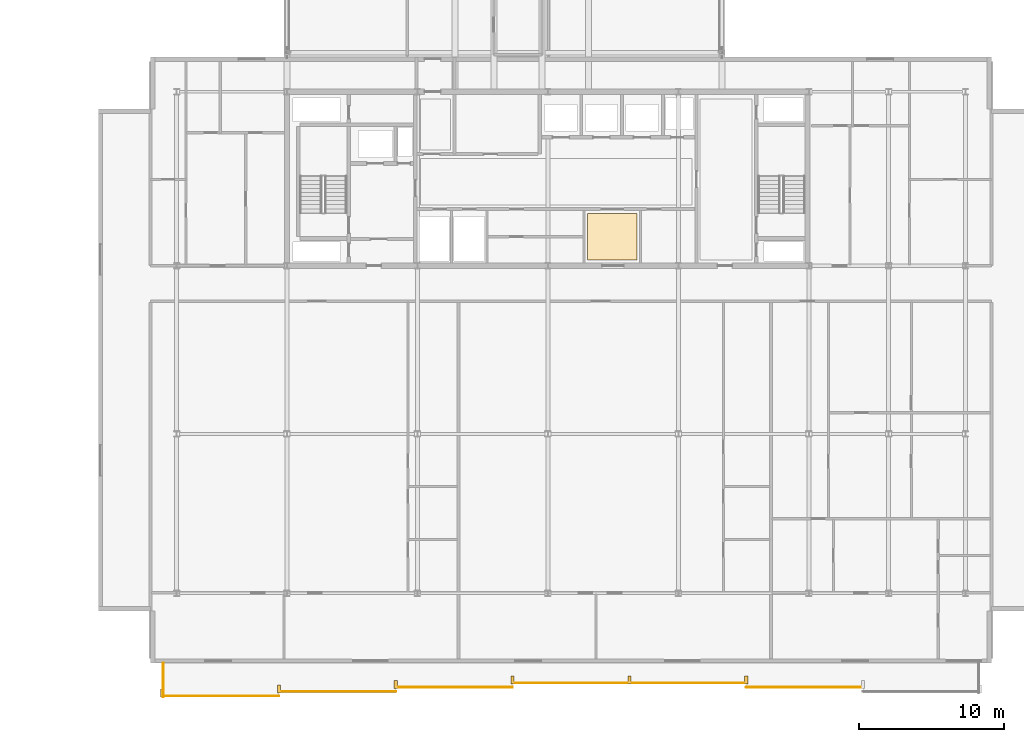
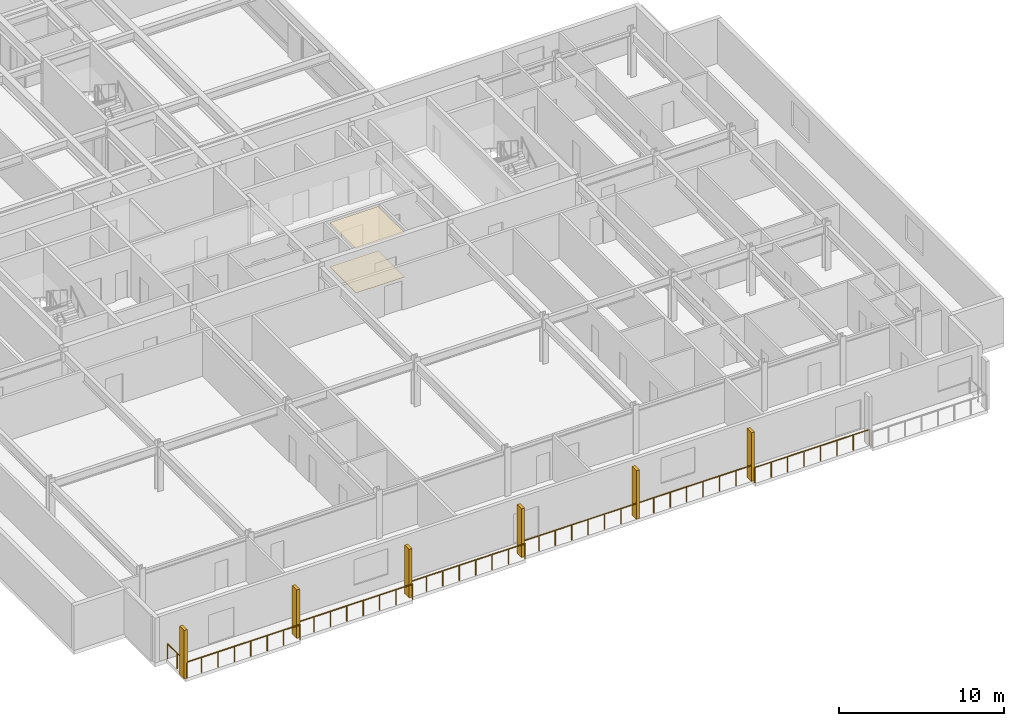
# One storey, part 30 of 35: 6 railings, 6 shading devices, 2 coverings.
"""IFC4 building model written with IfcOpenShell, lengths in metres."""

from ifc_helpers import new_model, si_unit, direction, frame, origin, origin_2d, place, context, subcontext, project, spatial, polyline, rectangle, circle, outline, extrude, material, layer, layer_set, type_object, element, save


model = new_model("IFC4")

# Units and contexts
model_context = context("Model", 3, precision=1e-05, world=origin(), true_north=direction((0.0, 1.0)))
body_context = subcontext(model_context, "Body", "Model", "MODEL_VIEW")
ifc_project = project(units=[si_unit("LENGTHUNIT", "METRE"), si_unit("AREAUNIT", "SQUARE_METRE"), si_unit("VOLUMEUNIT", "CUBIC_METRE"), si_unit("PLANEANGLEUNIT", "RADIAN"), si_unit("MASSUNIT", "GRAM", prefix="KILO")], contexts=[model_context])

# Site, building, storey
site_placement = place(None, origin())
site = spatial("IfcSite", under=ifc_project, at=site_placement, CompositionType="ELEMENT")
building_placement = place(site_placement, origin())
building = spatial("IfcBuilding", under=site, at=building_placement, Name="Korimba Cascade Residences", CompositionType="ELEMENT")
storey_placement = place(building_placement, frame((0.0, 0.0, 150.10009765625)))
storey = spatial("IfcBuildingStorey", under=building, at=storey_placement, Name="L43", CompositionType="ELEMENT", Elevation=150.10009765625)

# Coverings
ifc_material_1 = material(Name="Perforated Acoustic Gypsum Ceiling", Category="gypsum")
ifc_layer_1 = layer(ifc_material_1, 0.02490234375)
ifc_layer_set_1 = layer_set([ifc_layer_1], Name="Perforated Acoustic Gypsum Ceiling")
covering_type_1 = type_object("IfcCoveringType", Name="COV-CLG-AC", PredefinedType="CEILING", material=ifc_layer_set_1)
covering_1_placement = place(storey_placement, frame((0.0, 0.0, 3.284912109375)))
element("IfcCovering", 1, at=covering_1_placement, inside=storey, type_object=covering_type_1, Name="L43 Suspended Acoustic Ceiling L43-LT2", PredefinedType="CEILING", context=body_context, shape_type="SweptSolid", body=[
    extrude(outline(polyline([(102.85009765625, 18.800048828125), (106.25, 18.800048828125), (106.25, 22.0), (102.85009765625, 22.0), (102.85009765625, 18.800048828125)])), origin(), (0.0, 0.0, 1.0), 0.02490234375),
])
ifc_material_2 = material(Name="Honed Travertine Stone Flooring", Category="masonry")
ifc_layer_2 = layer(ifc_material_2, 0.02490234375)
ifc_layer_set_2 = layer_set([ifc_layer_2], Name="Honed Travertine Stone Flooring")
covering_type_2 = type_object("IfcCoveringType", Name="COV-FLR-STN", PredefinedType="FLOORING", material=ifc_layer_set_2)
covering_2_placement = place(storey_placement, origin())
element("IfcCovering", 2, at=covering_2_placement, inside=storey, type_object=covering_type_2, Name="L43 Honed Travertine Stone Flooring L43-LT2", PredefinedType="FLOORING", context=body_context, shape_type="SweptSolid", body=[
    extrude(outline(polyline([(102.85009765625, 18.800048828125), (106.25, 18.800048828125), (106.25, 22.0), (102.85009765625, 22.0), (102.85009765625, 18.800048828125)])), origin(), (0.0, 0.0, 1.0), 0.02490234375),
])

# Railings
ifc_material_3 = material(Name="Laminated Glass and Bronze Balustrade", Category="glass")
railing_type = type_object("IfcRailingType", Name="RLG-LOG-1150", PredefinedType="BALUSTRADE", material=ifc_material_3)
for number, where, name in (
    (3, (73.5, -11.27001953125, 0.0), "L43 Perimeter Guardrail RLG-L43-T2-LOG-01"),
    (4, (81.55712890625, -10.969970703125, 0.0), "L43 Perimeter Guardrail RLG-L43-T2-LOG-02"),
    (5, (89.6142578125, -10.669921875, 0.0), "L43 Perimeter Guardrail RLG-L43-T2-LOG-03"),
):
    element("IfcRailing", number, at=place(storey_placement, frame(where)), inside=storey, type_object=railing_type, Name=name, PredefinedType="BALUSTRADE", context=body_context, shape_type="SweptSolid", body=[
        extrude(circle(Radius=0.02392578125, at=origin_2d()), frame((0.0, 0.0, 1.1259765625), z_axis=(1.0, 0.0, 0.0), x_axis=(0.0, 1.0, 0.0)), (0.0, 0.0, 1.0), 8.05712890625),
        extrude(circle(Radius=0.02099609375, at=origin_2d()), origin(), (0.0, 0.0, 1.0), 1.101806640625),
        extrude(circle(Radius=0.02099609375, at=origin_2d()), frame((1.151123046875, 0.0, 0.0)), (0.0, 0.0, 1.0), 1.101806640625),
        extrude(circle(Radius=0.02099609375, at=origin_2d()), frame((2.302001953125, 0.0, 0.0)), (0.0, 0.0, 1.0), 1.101806640625),
        extrude(circle(Radius=0.02099609375, at=origin_2d()), frame((3.453125, 0.0, 0.0)), (0.0, 0.0, 1.0), 1.101806640625),
        extrude(circle(Radius=0.02099609375, at=origin_2d()), frame((4.60400390625, 0.0, 0.0)), (0.0, 0.0, 1.0), 1.101806640625),
        extrude(circle(Radius=0.02099609375, at=origin_2d()), frame((5.755126953125, 0.0, 0.0)), (0.0, 0.0, 1.0), 1.101806640625),
        extrude(circle(Radius=0.02099609375, at=origin_2d()), frame((6.906005859375, 0.0, 0.0)), (0.0, 0.0, 1.0), 1.101806640625),
        extrude(circle(Radius=0.02099609375, at=origin_2d()), frame((8.05712890625, 0.0, 0.0)), (0.0, 0.0, 1.0), 1.101806640625),
    ])
railing_1_placement = place(storey_placement, frame((97.67138671875, -10.3701171875, 0.0)))
element("IfcRailing", 6, at=railing_1_placement, inside=storey, type_object=railing_type, Name="L43 Perimeter Guardrail RLG-L43-T2-LOG-04", PredefinedType="BALUSTRADE", context=body_context, shape_type="SweptSolid", body=[
    extrude(circle(Radius=0.02392578125, at=origin_2d()), frame((0.0, 0.0, 1.1259765625), z_axis=(1.0, 0.0, 0.0), x_axis=(0.0, 1.0, 0.0)), (0.0, 0.0, 1.0), 16.1142578125),
    extrude(circle(Radius=0.02099609375, at=origin_2d()), origin(), (0.0, 0.0, 1.0), 1.101806640625),
    extrude(circle(Radius=0.02099609375, at=origin_2d()), frame((1.151123046875, 0.0, 0.0)), (0.0, 0.0, 1.0), 1.101806640625),
    extrude(circle(Radius=0.02099609375, at=origin_2d()), frame((2.302001953125, 0.0, 0.0)), (0.0, 0.0, 1.0), 1.101806640625),
    extrude(circle(Radius=0.02099609375, at=origin_2d()), frame((3.453125, 0.0, 0.0)), (0.0, 0.0, 1.0), 1.101806640625),
    extrude(circle(Radius=0.02099609375, at=origin_2d()), frame((4.60400390625, 0.0, 0.0)), (0.0, 0.0, 1.0), 1.101806640625),
    extrude(circle(Radius=0.02099609375, at=origin_2d()), frame((5.755126953125, 0.0, 0.0)), (0.0, 0.0, 1.0), 1.101806640625),
    extrude(circle(Radius=0.02099609375, at=origin_2d()), frame((6.906005859375, 0.0, 0.0)), (0.0, 0.0, 1.0), 1.101806640625),
    extrude(circle(Radius=0.02099609375, at=origin_2d()), frame((8.05712890625, 0.0, 0.0)), (0.0, 0.0, 1.0), 1.101806640625),
    extrude(circle(Radius=0.02099609375, at=origin_2d()), frame((9.208251953125, 0.0, 0.0)), (0.0, 0.0, 1.0), 1.101806640625),
    extrude(circle(Radius=0.02099609375, at=origin_2d()), frame((10.359130859375, 0.0, 0.0)), (0.0, 0.0, 1.0), 1.101806640625),
    extrude(circle(Radius=0.02099609375, at=origin_2d()), frame((11.51025390625, 0.0, 0.0)), (0.0, 0.0, 1.0), 1.101806640625),
    extrude(circle(Radius=0.02099609375, at=origin_2d()), frame((12.6611328125, 0.0, 0.0)), (0.0, 0.0, 1.0), 1.101806640625),
    extrude(circle(Radius=0.02099609375, at=origin_2d()), frame((13.812255859375, 0.0, 0.0)), (0.0, 0.0, 1.0), 1.101806640625),
    extrude(circle(Radius=0.02099609375, at=origin_2d()), frame((14.963134765625, 0.0, 0.0)), (0.0, 0.0, 1.0), 1.101806640625),
    extrude(circle(Radius=0.02099609375, at=origin_2d()), frame((16.1142578125, 0.0, 0.0)), (0.0, 0.0, 1.0), 1.101806640625),
])
railing_2_placement = place(storey_placement, frame((113.78564453125, -10.669921875, 0.0)))
element("IfcRailing", 7, at=railing_2_placement, inside=storey, type_object=railing_type, Name="L43 Perimeter Guardrail RLG-L43-T2-LOG-05", PredefinedType="BALUSTRADE", context=body_context, shape_type="SweptSolid", body=[
    extrude(circle(Radius=0.02392578125, at=origin_2d()), frame((0.0, 0.0, 1.1259765625), z_axis=(1.0, 0.0, 0.0), x_axis=(0.0, 1.0, 0.0)), (0.0, 0.0, 1.0), 8.057373046875),
    extrude(circle(Radius=0.02099609375, at=origin_2d()), origin(), (0.0, 0.0, 1.0), 1.101806640625),
    extrude(circle(Radius=0.02099609375, at=origin_2d()), frame((1.151123046875, 0.0, 0.0)), (0.0, 0.0, 1.0), 1.101806640625),
    extrude(circle(Radius=0.02099609375, at=origin_2d()), frame((2.302001953125, 0.0, 0.0)), (0.0, 0.0, 1.0), 1.101806640625),
    extrude(circle(Radius=0.02099609375, at=origin_2d()), frame((3.453125, 0.0, 0.0)), (0.0, 0.0, 1.0), 1.101806640625),
    extrude(circle(Radius=0.02099609375, at=origin_2d()), frame((4.604248046875, 0.0, 0.0)), (0.0, 0.0, 1.0), 1.101806640625),
    extrude(circle(Radius=0.02099609375, at=origin_2d()), frame((5.75537109375, 0.0, 0.0)), (0.0, 0.0, 1.0), 1.101806640625),
    extrude(circle(Radius=0.02099609375, at=origin_2d()), frame((6.90625, 0.0, 0.0)), (0.0, 0.0, 1.0), 1.101806640625),
    extrude(circle(Radius=0.02099609375, at=origin_2d()), frame((8.057373046875, 0.0, 0.0)), (0.0, 0.0, 1.0), 1.101806640625),
])
railing_3_placement = place(storey_placement, frame((73.580078125, -9.0, 0.0)))
element("IfcRailing", 8, at=railing_3_placement, inside=storey, type_object=railing_type, Name="L43 Perimeter Guardrail RLG-L43-T2-LOG-08", PredefinedType="BALUSTRADE", context=body_context, shape_type="SweptSolid", body=[
    extrude(circle(Radius=0.02392578125, at=origin_2d()), frame((0.0, 0.0, 1.1259765625), z_axis=(0.0, -1.0, 0.0), x_axis=(1.0, 0.0, 0.0)), (0.0, 0.0, 1.0), 2.35009765625),
    extrude(circle(Radius=0.02099609375, at=origin_2d()), origin(), (0.0, 0.0, 1.0), 1.101806640625),
    extrude(circle(Radius=0.02099609375, at=origin_2d()), frame((0.0, -1.175048828125, 0.0)), (0.0, 0.0, 1.0), 1.101806640625),
    extrude(circle(Radius=0.02099609375, at=origin_2d()), frame((0.0, -2.35009765625, 0.0)), (0.0, 0.0, 1.0), 1.101806640625),
])

# Shading devices
ifc_material_4 = material(Name="Honed Sandstone Precast Fin", Category="masonry")
shading_device_type = type_object("IfcShadingDeviceType", Name="SHD-FIN-550", PredefinedType="USERDEFINED", material=ifc_material_4)
for number, where, z_axis, x_axis, name in (
    (9, (73.5, -11.074951171875, -0.000244140625), (0.0, 0.0, 1.0), (1.0, 0.0, 0.0), "L43 T2 Warm-Stone Loggia Fin 1"),
    (10, (81.55712890625, -10.77490234375, -0.000244140625), (0.0, 0.0, 1.0), (1.0, 0.0, 0.0), "L43 T2 Warm-Stone Loggia Fin 2"),
    (11, (89.6142578125, -10.47509765625, -0.000244140625), (0.0, 0.0, 1.0), (1.0, 0.0, 0.0), "L43 T2 Warm-Stone Loggia Fin 3"),
    (12, (97.67138671875, -10.175048828125, -0.000244140625), (0.0, 0.0, 1.0), (1.0, 0.0, 0.0), "L43 T2 Warm-Stone Loggia Fin 4"),
    (13, (105.728515625, -10.175048828125, -0.000244140625), (0.0, 0.0, 1.0), (1.0, 0.0, 0.0), "L43 T2 Warm-Stone Loggia Fin 5"),
    (14, (113.78564453125, -10.175048828125, -0.000244140625), (0.0, 0.0, 1.0), (1.0, 0.0, 0.0), "L43 T2 Warm-Stone Loggia Fin 6"),
):
    element("IfcShadingDevice", number, at=place(storey_placement, frame(where, z_axis=z_axis, x_axis=x_axis)), inside=storey, type_object=shading_device_type, Name=name, ObjectType="FIN", PredefinedType="USERDEFINED", context=body_context, shape_type="SweptSolid", body=[
        extrude(rectangle(XDim=0.219970703125, YDim=0.550048828125, at=origin_2d()), origin(), (0.0, 0.0, 1.0), 3.60009765625),
    ])

save(model, "model.ifc")
